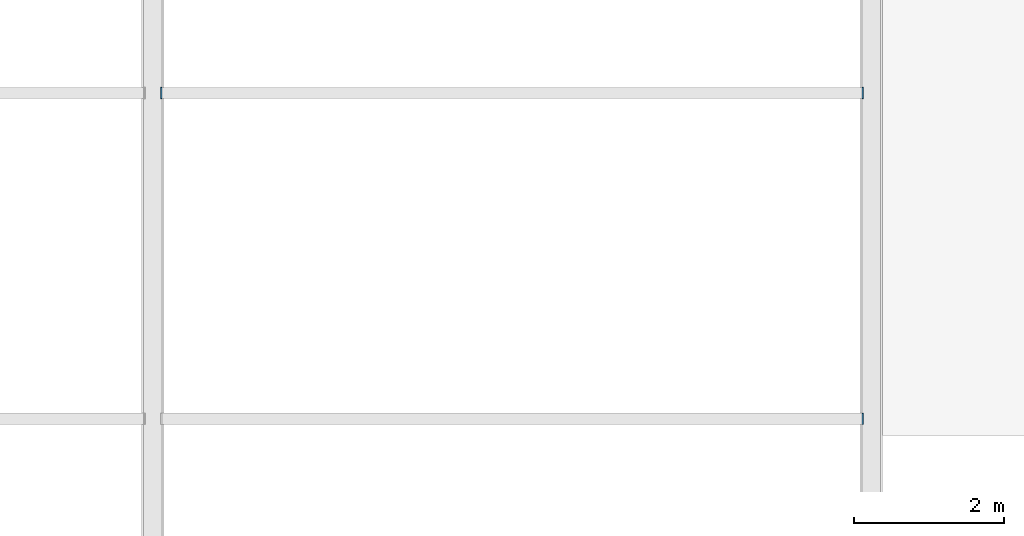
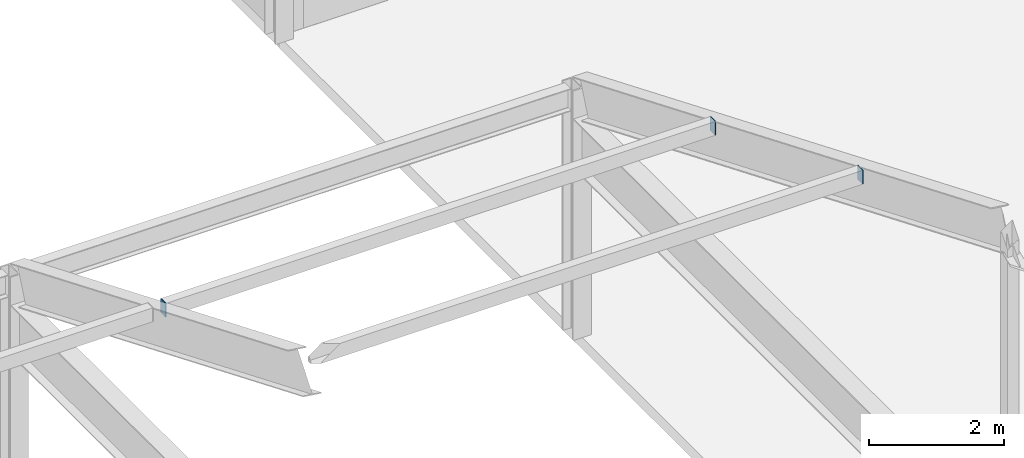
# One storey, part 64 of 88: 3 plates.
"""IFC4 building model written with IfcOpenShell, lengths in metres."""

from ifc_helpers import new_model, si_unit, direction, frame, origin, origin_2d, place, context, subcontext, project, spatial, rectangle, extrude, material, layer, layer_set, type_object, element, save


model = new_model("IFC4")

# Units and contexts
model_context = context("Model", 3, precision=1e-05, world=origin(), true_north=direction((0.0, 1.0)))
body_context = subcontext(model_context, "Body", "Model", "MODEL_VIEW")
ifc_project = project(units=[si_unit("LENGTHUNIT", "METRE"), si_unit("AREAUNIT", "SQUARE_METRE"), si_unit("VOLUMEUNIT", "CUBIC_METRE"), si_unit("PLANEANGLEUNIT", "RADIAN"), si_unit("MASSUNIT", "GRAM", prefix="KILO")], contexts=[model_context])

# Site, building, storey
site_placement = place(None, origin())
site = spatial("IfcSite", under=ifc_project, at=site_placement, CompositionType="ELEMENT")
building_placement = place(site_placement, origin())
building = spatial("IfcBuilding", under=site, at=building_placement, Name="Sarnbrook Museum", CompositionType="ELEMENT")
storey_placement = place(building_placement, frame((0.0, 0.0, 10.10009765625)))
storey = spatial("IfcBuildingStorey", under=building, at=storey_placement, Name="L02", CompositionType="ELEMENT", Elevation=10.10009765625)

# Plates
ifc_material = material(Name="Structural Steel Grade 350L0 (AS/NZS 3678, fy = 340 MPa for 20 < t <= 40 mm)", Category="steel")
ifc_layer = layer(ifc_material, 0.01611328125)
ifc_layer_set = layer_set([ifc_layer], Name="Structural Steel Grade 350L0 (AS/NZS 3678, fy = 340 MPa for 20 < t <= 40 mm)")
plate_type = type_object("IfcPlateType", Name="EndCapPlate_CAP250x150", PredefinedType="USERDEFINED", material=ifc_layer_set)
for number, where, z_axis, x_axis, name in (
    (1, (71.303955078125, 26.176025390625, 6.32177734375), (1.0, 0.0, 0.0), (0.0, 1.0, 0.0), "Hollow End Cap Plate AUDPR:N:0.33:4-1"),
    (2, (80.679931640625, 26.176025390625, 6.32177734375), (1.0, 0.0, 0.0), (0.0, 1.0, 0.0), "Hollow End Cap Plate AUDPR:N:0.33:4-2"),
    (3, (80.679931640625, 21.823974609375, 8.080078125), (1.0, 0.0, 0.0), (0.0, 1.0, 0.0), "Hollow End Cap Plate AUDPR:N:0.67:4-2"),
):
    element("IfcPlate", number, at=place(storey_placement, frame(where, z_axis=z_axis, x_axis=x_axis)), inside=storey, type_object=plate_type, Name=name, ObjectType="END CAP PLATE", PredefinedType="USERDEFINED", context=body_context, shape_type="SweptSolid", body=[
        extrude(rectangle(XDim=0.14990234375, YDim=0.25, at=origin_2d()), origin(), (0.0, 0.0, 1.0), 0.01611328125),
    ])

save(model, "model.ifc")
